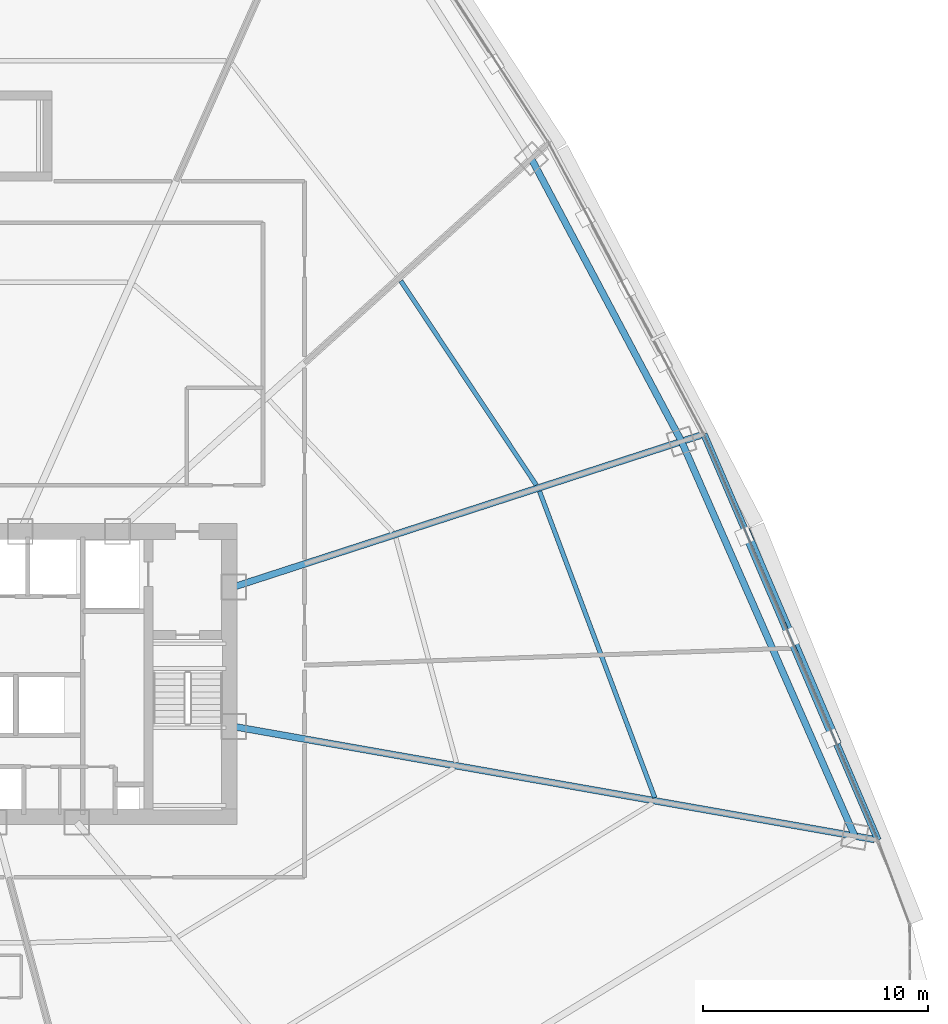
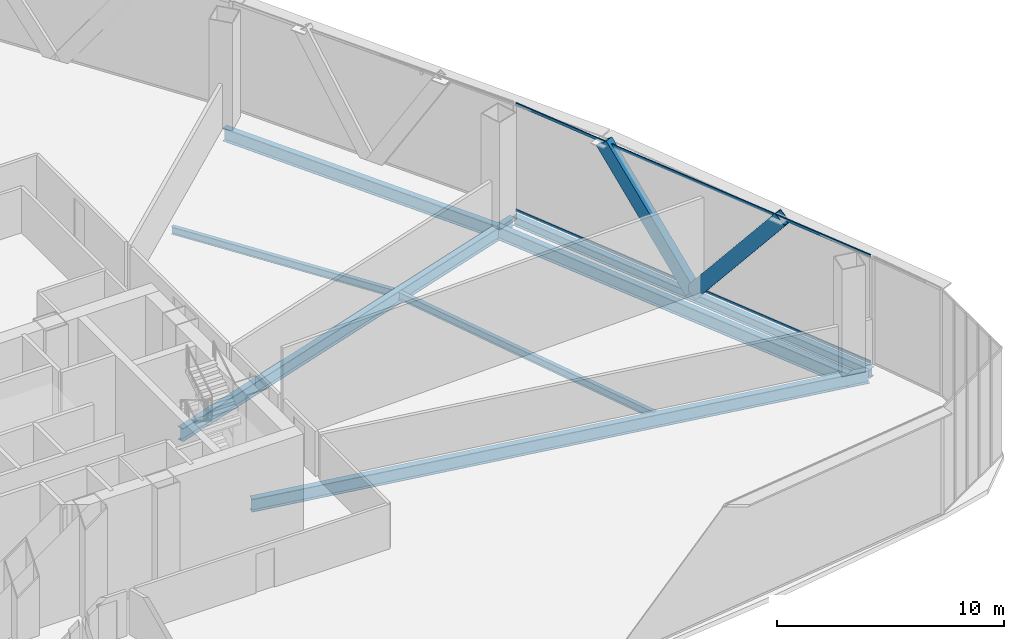
# One storey, part 24 of 41: 7 beams, 4 members, 1 element without a shape of its own.
"""IFC4 building model written with IfcOpenShell, lengths in metres."""

import ifcopenshell
import ifcopenshell.guid

model = None  # the IFC model being written
_history = None  # IfcOwnerHistory: only IFC2X3 demands one
_inside = {}  # id of a spatial element -> (the spatial element, [elements in it])
_under = {}  # id of a project, library or spatial element -> (it, [spatial elements below it])
_declared = {}  # id of a project -> (the project, [libraries it declares])
_typed = {}  # id of a type object -> (the type object, [elements of that type])
_made_of = {}  # id of a material, layer set ... -> (it, [elements and type objects made of it])


def new_model(schema):
    """Start an empty IFC model of exactly this schema.

    Asked for "IFC4X3", IfcOpenShell would pick the latest addendum, in which some entities
    have other attributes; the version numbers below select the first issue.
    IFC2X3 requires an IfcOwnerHistory on every rooted entity: one is made here for all.
    """
    global model, _history
    if schema == "IFC4X3":
        model = ifcopenshell.file(schema_version=(4, 3, 0, 0))
    else:
        model = ifcopenshell.file(schema=schema)
    _inside.clear()
    _under.clear()
    _declared.clear()
    _typed.clear()
    _made_of.clear()
    _history = None
    if model.schema == "IFC2X3":
        org = make("IfcOrganization", Name="unknown")
        user = make(
            "IfcPersonAndOrganization",
            ThePerson=make("IfcPerson", FamilyName="unknown"),
            TheOrganization=org,
        )
        app = make(
            "IfcApplication",
            ApplicationDeveloper=org,
            Version="unknown",
            ApplicationFullName="unknown",
            ApplicationIdentifier="unknown",
        )
        _history = make(
            "IfcOwnerHistory",
            OwningUser=user,
            OwningApplication=app,
            ChangeAction="ADDED",
            CreationDate=0,
        )
    return model


def make(cls, **values):
    """One entity of the class cls with the attributes given. An attribute that is None is left unset."""
    return model.create_entity(
        cls, **{name: value for name, value in values.items() if value is not None}
    )


def rooted(cls, **values):
    """An entity with a GlobalId (a new one), such as an element, a storey or a relation."""
    return make(cls, GlobalId=ifcopenshell.guid.new(), OwnerHistory=_history, **values)


def si_unit(unit_type, name, prefix=None):
    """IfcSIUnit, for example si_unit("LENGTHUNIT", "METRE", prefix="MILLI")."""
    return make("IfcSIUnit", UnitType=unit_type, Prefix=prefix, Name=name)


def assignment(units):
    """IfcUnitAssignment: the units of a project."""
    return None if units is None else make("IfcUnitAssignment", Units=units)


def point(xyz):
    """IfcCartesianPoint."""
    return None if xyz is None else make("IfcCartesianPoint", Coordinates=xyz)


def direction(xyz):
    """IfcDirection."""
    return None if xyz is None else make("IfcDirection", DirectionRatios=xyz)


def frame(location, z_axis=None, x_axis=None):
    """IfcAxis2Placement3D, a coordinate frame: its origin and axes. An axis left out is left unset."""
    return make(
        "IfcAxis2Placement3D",
        Location=point(location),
        Axis=direction(z_axis),
        RefDirection=direction(x_axis),
    )


def frame_2d(location, x_axis=None):
    """IfcAxis2Placement2D, a coordinate frame in the plane: its origin and x axis."""
    return make(
        "IfcAxis2Placement2D", Location=point(location), RefDirection=direction(x_axis)
    )


def origin():
    """The frame at (0, 0, 0) with its axes left unset."""
    return frame((0.0, 0.0, 0.0))


def origin_2d():
    """The frame at (0, 0) in the plane with its x axis left unset."""
    return frame_2d((0.0, 0.0))


def place(relative_to, where):
    """IfcLocalPlacement: puts the frame where relative to a parent placement (None: the world)."""
    return make(
        "IfcLocalPlacement", PlacementRelTo=relative_to, RelativePlacement=where
    )


def context(
    kind, dimensions, precision=None, world=None, true_north=None, identifier=None
):
    """IfcGeometricRepresentationContext, for example the 3D "Model" context."""
    return make(
        "IfcGeometricRepresentationContext",
        ContextIdentifier=identifier,
        ContextType=kind,
        CoordinateSpaceDimension=dimensions,
        Precision=precision,
        WorldCoordinateSystem=world,
        TrueNorth=true_north,
    )


def subcontext(parent, identifier, kind, view, scale=None):
    """IfcGeometricRepresentationSubContext, for example "Body" below "Model"."""
    return make(
        "IfcGeometricRepresentationSubContext",
        ContextIdentifier=identifier,
        ContextType=kind,
        ParentContext=parent,
        TargetScale=scale,
        TargetView=view,
    )


def project(units=None, contexts=None):
    """IfcProject with its units and contexts."""
    return rooted(
        "IfcProject",
        Name="project",
        RepresentationContexts=contexts,
        UnitsInContext=assignment(units),
    )


def spatial(cls, under=None, at=None, **own):
    """A site, building, storey or space (cls), placed at a placement, below another one or the project."""
    s = rooted(cls, ObjectPlacement=at, **own)
    if under is not None:
        _under.setdefault(under.id(), (under, []))[1].append(s)
    return s


def profile(cls, at=None, kind="AREA", **sizes):
    """A parametric profile (cls). Its sizes go by their IFC names, for example OverallWidth=200.0."""
    return make(cls, ProfileType=kind, Position=at, **sizes)


def hollow_rectangle(**sizes):
    """IfcRectangleHollowProfileDef."""
    return profile("IfcRectangleHollowProfileDef", **sizes)


def i_section(**sizes):
    """IfcIShapeProfileDef."""
    return profile("IfcIShapeProfileDef", **sizes)


def extrude(swept, where, along, depth):
    """IfcExtrudedAreaSolid: the profile swept, set in the frame where, extruded along a direction by depth."""
    return make(
        "IfcExtrudedAreaSolid",
        SweptArea=swept,
        Position=where,
        ExtrudedDirection=direction(along),
        Depth=depth,
    )


def shape(context_of_items, identifier, shape_type, items):
    """IfcShapeRepresentation: the items that make up one representation, for example the "Body"."""
    return make(
        "IfcShapeRepresentation",
        ContextOfItems=context_of_items,
        RepresentationIdentifier=identifier,
        RepresentationType=shape_type,
        Items=items,
    )


def source(mapping_origin, context_of_items, identifier, shape_type, items):
    """IfcRepresentationMap: a shape defined once, which mapped items show again and again."""
    return make(
        "IfcRepresentationMap",
        MappingOrigin=mapping_origin,
        MappedRepresentation=shape(context_of_items, identifier, shape_type, items),
    )


def transform(
    local_origin,
    x_axis=None,
    y_axis=None,
    z_axis=None,
    scale=None,
    scale2=None,
    scale3=None,
    uniform=True,
):
    """IfcCartesianTransformationOperator3D, or its non-uniform kind. x_axis, y_axis, z_axis: its Axis1, 2, 3."""
    if uniform:
        return make(
            "IfcCartesianTransformationOperator3D",
            Axis1=direction(x_axis),
            Axis2=direction(y_axis),
            LocalOrigin=point(local_origin),
            Scale=scale,
            Axis3=direction(z_axis),
        )
    return make(
        "IfcCartesianTransformationOperator3DnonUniform",
        Axis1=direction(x_axis),
        Axis2=direction(y_axis),
        LocalOrigin=point(local_origin),
        Scale=scale,
        Axis3=direction(z_axis),
        Scale2=scale2,
        Scale3=scale3,
    )


def mapped(mapping_source, mapping_target):
    """IfcMappedItem: shows the shape of a source again, moved by a transform."""
    return make(
        "IfcMappedItem", MappingSource=mapping_source, MappingTarget=mapping_target
    )


def material(Name=None, Category=None):
    """IfcMaterial."""
    return make("IfcMaterial", Name=Name, Category=Category)


def layer(
    of_material, thickness, ventilated=None, Name=None, Category=None, Priority=None
):
    """IfcMaterialLayer: one layer of a wall or slab, of a material (None: an air gap)."""
    return make(
        "IfcMaterialLayer",
        Material=of_material,
        LayerThickness=thickness,
        IsVentilated=ventilated,
        Name=Name,
        Category=Category,
        Priority=Priority,
    )


def layer_set(layers, Name=None):
    """IfcMaterialLayerSet."""
    return make("IfcMaterialLayerSet", MaterialLayers=layers, LayerSetName=Name)


def material_profile(
    of_material, cross_section, Name=None, Category=None, Priority=None
):
    """IfcMaterialProfile: a cross section and its material."""
    return make(
        "IfcMaterialProfile",
        Name=Name,
        Material=of_material,
        Profile=cross_section,
        Priority=Priority,
        Category=Category,
    )


def profile_set(profiles, Name=None, composite=None):
    """IfcMaterialProfileSet."""
    return make(
        "IfcMaterialProfileSet",
        Name=Name,
        MaterialProfiles=profiles,
        CompositeProfile=composite,
    )


def made_of(thing, what):
    """Note that an element or type object is made of a material, layer set ...; save() writes the relation."""
    if what is not None:
        _made_of.setdefault(what.id(), (what, []))[1].append(thing)
    return thing


def type_object(cls, material=None, **own):
    """A type object (cls), such as IfcWallType, which elements share."""
    return made_of(rooted(cls, **own), material)


def element(
    cls,
    number,
    at=None,
    inside=None,
    cuts=None,
    type_object=None,
    material=None,
    context=None,
    identifier="Body",
    shape_type=None,
    held_by="IfcProductDefinitionShape",
    body=None,
    shapes=None,
    **own,
):
    """One element of the class cls, such as IfcWall. Its Tag is "e" and its number.

    at: its placement. inside: the storey or other place that contains it. cuts: it is an
    opening in that element (IfcRelVoidsElement). A single representation is given by context,
    identifier, shape_type and body (its items); several are given by shapes. held_by: the class
    of the entity that holds the representations. save() writes the other relations.
    """
    e = rooted(cls, Tag="e%d" % number, ObjectPlacement=at, **own)
    if body is not None:
        shapes = [shape(context, identifier, shape_type, body)]
    if shapes is not None:
        e.Representation = make(held_by, Representations=shapes)
    if inside is not None:
        _inside.setdefault(inside.id(), (inside, []))[1].append(e)
    if cuts is not None:
        rooted(
            "IfcRelVoidsElement", RelatingBuildingElement=cuts, RelatedOpeningElement=e
        )
    if type_object is not None:
        _typed.setdefault(type_object.id(), (type_object, []))[1].append(e)
    return made_of(e, material)


def aggregate(whole, parts):
    """IfcRelAggregates: a whole, such as a stair, and the parts it consists of."""
    return rooted("IfcRelAggregates", RelatingObject=whole, RelatedObjects=parts)


def save(model, path):
    """Write the relations noted so far, then the file.

    IfcRelAggregates (storeys below a building ...), IfcRelContainedInSpatialStructure (elements
    in a storey), IfcRelDefinesByType, IfcRelAssociatesMaterial and IfcRelDeclares: one each for
    every whole, place, type object, material and project.
    """
    for whole, parts in _under.values():
        aggregate(whole, parts)
    for where, things in _inside.values():
        rooted(
            "IfcRelContainedInSpatialStructure",
            RelatedElements=things,
            RelatingStructure=where,
        )
    for kind, things in _typed.values():
        rooted("IfcRelDefinesByType", RelatedObjects=things, RelatingType=kind)
    for what, things in _made_of.values():
        rooted("IfcRelAssociatesMaterial", RelatedObjects=things, RelatingMaterial=what)
    for by, libraries in _declared.values():
        rooted("IfcRelDeclares", RelatingContext=by, RelatedDefinitions=libraries)
    model.write(path)


model = new_model("IFC4")

# Units and contexts
model_context = context("Model", 3, precision=1e-05, world=origin(), true_north=direction((0.0, 1.0)))
body_context = subcontext(model_context, "Body", "Model", "MODEL_VIEW")
ifc_project = project(units=[si_unit("LENGTHUNIT", "METRE"), si_unit("AREAUNIT", "SQUARE_METRE"), si_unit("VOLUMEUNIT", "CUBIC_METRE"), si_unit("PLANEANGLEUNIT", "RADIAN"), si_unit("MASSUNIT", "GRAM", prefix="KILO"), si_unit("THERMODYNAMICTEMPERATUREUNIT", "KELVIN"), si_unit("POWERUNIT", "WATT")], contexts=[model_context])

# Site, building, storey
site_placement = place(None, origin())
site = spatial("IfcSite", under=ifc_project, at=site_placement, CompositionType="ELEMENT")
building_placement = place(site_placement, origin())
building = spatial("IfcBuilding", under=site, at=building_placement, Name="Yunzhuo Pagoda Commons", CompositionType="ELEMENT")
storey_placement = place(building_placement, frame((0.0, 0.0, 70.330078125)))
storey = spatial("IfcBuildingStorey", under=building, at=storey_placement, Name="L18", CompositionType="ELEMENT", Elevation=70.330078125)

# Beams
ifc_material_1 = material(Name="Structural steel Q355B", Category="steel")
ifc_material_profile_1 = material_profile(ifc_material_1, i_section(OverallWidth=0.300048828125, OverallDepth=0.699951171875, WebThickness=0.012939453125, FlangeThickness=0.02392578125, at=origin_2d()), Name="Structural steel Q355B")
ifc_profile_set_1 = profile_set([ifc_material_profile_1], Name="Structural steel Q355B")
beam_type_1 = type_object("IfcBeamType", Name="B-RG1 Beam HN 700x300x13x24", PredefinedType="BEAM", material=ifc_profile_set_1)
shared_shape_1 = source(origin(), body_context, "Body", "SweptSolid", [
    extrude(i_section(OverallWidth=0.300048828125, OverallDepth=0.699951171875, WebThickness=0.012939453125, FlangeThickness=0.02392578125, at=origin_2d()), origin(), (0.0, 0.0, 1.0), 19.18603515625),
])
beam_1_placement = place(storey_placement, frame((88.047607421875, 26.638427734375, -0.610107421875), z_axis=(-0.40196534204, 0.915654882474, 0.0), x_axis=(-0.915654882474, -0.40196534204, 0.0)))
element("IfcBeam", 1, at=beam_1_placement, inside=storey, type_object=beam_type_1, Name="L18 column-ring beam 5", PredefinedType="BEAM", context=body_context, shape_type="MappedRepresentation", body=[
    mapped(shared_shape_1, transform((0.0, 0.0, 0.0), scale=1.0)),
])
shared_shape_2 = source(origin(), body_context, "Body", "SweptSolid", [
    extrude(i_section(OverallWidth=0.300048828125, OverallDepth=0.699951171875, WebThickness=0.012939453125, FlangeThickness=0.02392578125, at=origin_2d()), origin(), (0.0, 0.0, 1.0), 14.25390625),
])
beam_2_placement = place(storey_placement, frame((80.33544921875, 44.206298828125, -0.610107421875), z_axis=(-0.469118073628, 0.883135455633, 0.0), x_axis=(-0.883135455633, -0.469118073628, 0.0)))
element("IfcBeam", 2, at=beam_2_placement, inside=storey, type_object=beam_type_1, Name="L18 column-ring beam 6", PredefinedType="BEAM", context=body_context, shape_type="MappedRepresentation", body=[
    mapped(shared_shape_2, transform((0.0, 0.0, 0.0), scale=1.0)),
])
ifc_material_profile_2 = material_profile(ifc_material_1, i_section(OverallWidth=0.199951171875, OverallDepth=0.39990234375, WebThickness=0.008056640625, FlangeThickness=0.012939453125, at=origin_2d()), Name="Structural steel Q355B")
ifc_profile_set_2 = profile_set([ifc_material_profile_2], Name="Structural steel Q355B")
beam_type_2 = type_object("IfcBeamType", Name="B-JS1 Joist HN 400x200x8x13", PredefinedType="JOIST", material=ifc_profile_set_2)
shared_shape_3 = source(origin(), body_context, "Body", "SweptSolid", [
    extrude(i_section(OverallWidth=0.199951171875, OverallDepth=0.39990234375, WebThickness=0.008056640625, FlangeThickness=0.012939453125, at=origin_2d()), origin(), (0.0, 0.0, 1.0), 14.571044921875),
])
beam_3_placement = place(storey_placement, frame((79.144287109375, 28.347412109375, -0.4599609375), z_axis=(-0.352208383632, 0.935921607027, 0.0), x_axis=(-0.935921607027, -0.352208383632, 0.0)))
element("IfcBeam", 3, at=beam_3_placement, inside=storey, type_object=beam_type_2, Name="L18 composite ring joist 2.5", PredefinedType="JOIST", context=body_context, shape_type="MappedRepresentation", body=[
    mapped(shared_shape_3, transform((0.0, 0.0, 0.0), scale=1.0)),
])
shared_shape_4 = source(origin(), body_context, "Body", "SweptSolid", [
    extrude(i_section(OverallWidth=0.199951171875, OverallDepth=0.39990234375, WebThickness=0.008056640625, FlangeThickness=0.012939453125, at=origin_2d()), origin(), (0.0, 0.0, 1.0), 10.904052734375),
])
beam_4_placement = place(storey_placement, frame((73.8681640625, 42.26611328125, -0.4599609375), z_axis=(-0.552916349928, 0.833236767061, 0.0), x_axis=(-0.833236767061, -0.552916349928, 0.0)))
element("IfcBeam", 4, at=beam_4_placement, inside=storey, type_object=beam_type_2, Name="L18 composite ring joist 2.6", PredefinedType="JOIST", context=body_context, shape_type="MappedRepresentation", body=[
    mapped(shared_shape_4, transform((0.0, 0.0, 0.0), scale=1.0)),
])
shared_shape_5 = source(origin(), body_context, "Body", "SweptSolid", [
    extrude(i_section(OverallWidth=0.300048828125, OverallDepth=0.699951171875, WebThickness=0.012939453125, FlangeThickness=0.02392578125, at=origin_2d()), origin(), (0.0, 0.0, 1.0), 28.96923828125),
])
beam_5_placement = place(storey_placement, frame((88.928955078125, 26.483154296875, -0.610107421875), z_axis=(-0.984808746464, 0.173642543427, 0.0), x_axis=(-0.173642543427, -0.984808746464, 0.0)))
element("IfcBeam", 5, at=beam_5_placement, inside=storey, type_object=beam_type_1, Name="L18 radial floor girder F2C1", PredefinedType="BEAM", context=body_context, shape_type="MappedRepresentation", body=[
    mapped(shared_shape_5, transform((0.0, 0.0, 0.0), scale=1.0)),
])
shared_shape_6 = source(origin(), body_context, "Body", "SweptSolid", [
    extrude(i_section(OverallWidth=0.300048828125, OverallDepth=0.699951171875, WebThickness=0.012939453125, FlangeThickness=0.02392578125, at=origin_2d()), origin(), (0.0, 0.0, 1.0), 21.8564453125),
])
beam_6_placement = place(storey_placement, frame((81.186767578125, 44.48291015625, -0.610107421875), z_axis=(-0.951058609715, -0.309010551415, 0.0), x_axis=(0.309010551415, -0.951058609715, 0.0)))
element("IfcBeam", 6, at=beam_6_placement, inside=storey, type_object=beam_type_1, Name="L18 radial floor girder F2C2", PredefinedType="BEAM", context=body_context, shape_type="MappedRepresentation", body=[
    mapped(shared_shape_6, transform((0.0, 0.0, 0.0), scale=1.0)),
])
ifc_material_profile_3 = material_profile(ifc_material_1, i_section(OverallWidth=0.300048828125, OverallDepth=0.488037109375, WebThickness=0.010986328125, FlangeThickness=0.01806640625, at=origin_2d()), Name="Structural steel Q355B")
ifc_profile_set_3 = profile_set([ifc_material_profile_3], Name="Structural steel Q355B")
beam_type_3 = type_object("IfcBeamType", Name="B-SP1 Beam HM 488x300x11x18", PredefinedType="BEAM", material=ifc_profile_set_3)
shared_shape_7 = source(origin(), body_context, "Body", "SweptSolid", [
    extrude(i_section(OverallWidth=0.300048828125, OverallDepth=0.488037109375, WebThickness=0.010986328125, FlangeThickness=0.01806640625, at=origin_2d()), origin(), (0.0, 0.0, 1.0), 19.665283203125),
])
beam_7_placement = place(storey_placement, frame((89.081787109375, 26.456298828125, -0.504150390625), z_axis=(-0.39398372615, 0.919117415529, 0.0), x_axis=(-0.919117415529, -0.39398372615, 0.0)))
element("IfcBeam", 7, at=beam_7_placement, inside=storey, type_object=beam_type_3, Name="L18 facade edge spandrel beam F2.1", PredefinedType="BEAM", context=body_context, shape_type="MappedRepresentation", body=[
    mapped(shared_shape_7, transform((0.0, 0.0, 0.0), scale=1.0)),
])

# Members
ifc_material_2 = material(Name="Structural steel Q420B", Category="steel")
ifc_material_profile_4 = material_profile(ifc_material_2, hollow_rectangle(XDim=0.419921875, YDim=0.719970703125, WallThickness=0.028076171875, at=origin_2d()), Name="Structural steel Q420B")
ifc_profile_set_4 = profile_set([ifc_material_profile_4], Name="Structural steel Q420B")
member_type_1 = type_object("IfcMemberType", Name="M-DL1 Brace BOX 720x420x28", PredefinedType="BRACE", material=ifc_profile_set_4)
shared_shape_8 = source(origin(), body_context, "Body", "SweptSolid", [
    extrude(hollow_rectangle(XDim=0.419921875, YDim=0.719970703125, WallThickness=0.028076171875, at=origin_2d()), origin(), (0.0, 0.0, 1.0), 7.780029296875),
])
member_1_placement = place(storey_placement, frame((85.2080078125, 35.493408203125, -0.260009765625), z_axis=(0.248943797232, -0.580764257578, 0.775074101579), x_axis=(0.919119340132, 0.393979236249, 0.0)))
element("IfcMember", 8, at=member_1_placement, inside=storey, type_object=member_type_1, Name="L18 facade diamond brace F2.1L", PredefinedType="BRACE", context=body_context, shape_type="MappedRepresentation", body=[
    mapped(shared_shape_8, transform((0.0, 0.0, 0.0), scale=1.0)),
])
shared_shape_9 = source(origin(), body_context, "Body", "SweptSolid", [
    extrude(hollow_rectangle(XDim=0.419921875, YDim=0.719970703125, WallThickness=0.028076171875, at=origin_2d()), origin(), (0.0, 0.0, 1.0), 7.7802734375),
])
member_2_placement = place(storey_placement, frame((85.2080078125, 35.493408203125, -0.260009765625), z_axis=(-0.248964158066, 0.580801311022, 0.775039795826), x_axis=(-0.919116774061, -0.393985222616, 0.0)))
element("IfcMember", 9, at=member_2_placement, inside=storey, type_object=member_type_1, Name="L18 facade diamond brace F2.1R", PredefinedType="BRACE", context=body_context, shape_type="MappedRepresentation", body=[
    mapped(shared_shape_9, transform((0.0, 0.0, 0.0), scale=1.0)),
])

# Curtain wall, members
ifc_material_3 = material(Name="Anodized aluminium 6063-T6", Category="aluminium")
ifc_layer = layer(ifc_material_3, 0.1650390625)
ifc_layer_set = layer_set([ifc_layer], Name="Anodized aluminium 6063-T6")
curtain_wall_type = type_object("IfcCurtainWallType", Name="CW-LOW Low-Zone Ribbon Curtain Wall", PredefinedType="NOTDEFINED", material=ifc_layer_set)
curtain_wall_placement = place(storey_placement, origin())
curtain_wall = element("IfcCurtainWall", 10, at=curtain_wall_placement, inside=storey, type_object=curtain_wall_type, Name="L18 curtain wall CW-L18-F2B2", PredefinedType="NOTDEFINED")
ifc_material_profile_5 = material_profile(ifc_material_3, hollow_rectangle(XDim=0.06005859375, YDim=0.139892578125, WallThickness=0.00341796875, at=origin_2d()), Name="Anodized aluminium 6063-T6")
ifc_profile_set_5 = profile_set([ifc_material_profile_5], Name="Anodized aluminium 6063-T6")
member_type_2 = type_object("IfcMemberType", Name="CW-LOW-T Transom RHS 140x60x3.5", PredefinedType="USERDEFINED", material=ifc_profile_set_5)
shared_shape_10 = source(origin(), body_context, "Body", "SweptSolid", [
    extrude(hollow_rectangle(XDim=0.06005859375, YDim=0.139892578125, WallThickness=0.00341796875, at=origin_2d()), origin(), (0.0, 0.0, 1.0), 19.535400390625),
])
member_3_placement = place(storey_placement, frame((89.05615234375, 26.515869140625, 0.030029296875), z_axis=(-0.393979629868, 0.919119171408, 0.0), x_axis=(-0.919119171408, -0.393979629868, 0.0)))
member_3 = element("IfcMember", 11, at=member_3_placement, type_object=member_type_2, Name="CW transom 1.1", ObjectType="TRANSOM", PredefinedType="USERDEFINED", context=body_context, shape_type="MappedRepresentation", body=[
    mapped(shared_shape_10, transform((0.0, 0.0, 0.0), scale=1.0)),
])
member_4_placement = place(storey_placement, frame((89.05615234375, 26.515869140625, 5.739990234375), z_axis=(-0.393979629868, 0.919119171408, 0.0), x_axis=(-0.919119171408, -0.393979629868, 0.0)))
member_4 = element("IfcMember", 12, at=member_4_placement, type_object=member_type_2, Name="CW transom 1.2", ObjectType="TRANSOM", PredefinedType="USERDEFINED", context=body_context, shape_type="MappedRepresentation", body=[
    mapped(shared_shape_10, transform((0.0, 0.0, 0.0), scale=1.0)),
])
aggregate(curtain_wall, [member_3, member_4])

save(model, "model.ifc")
